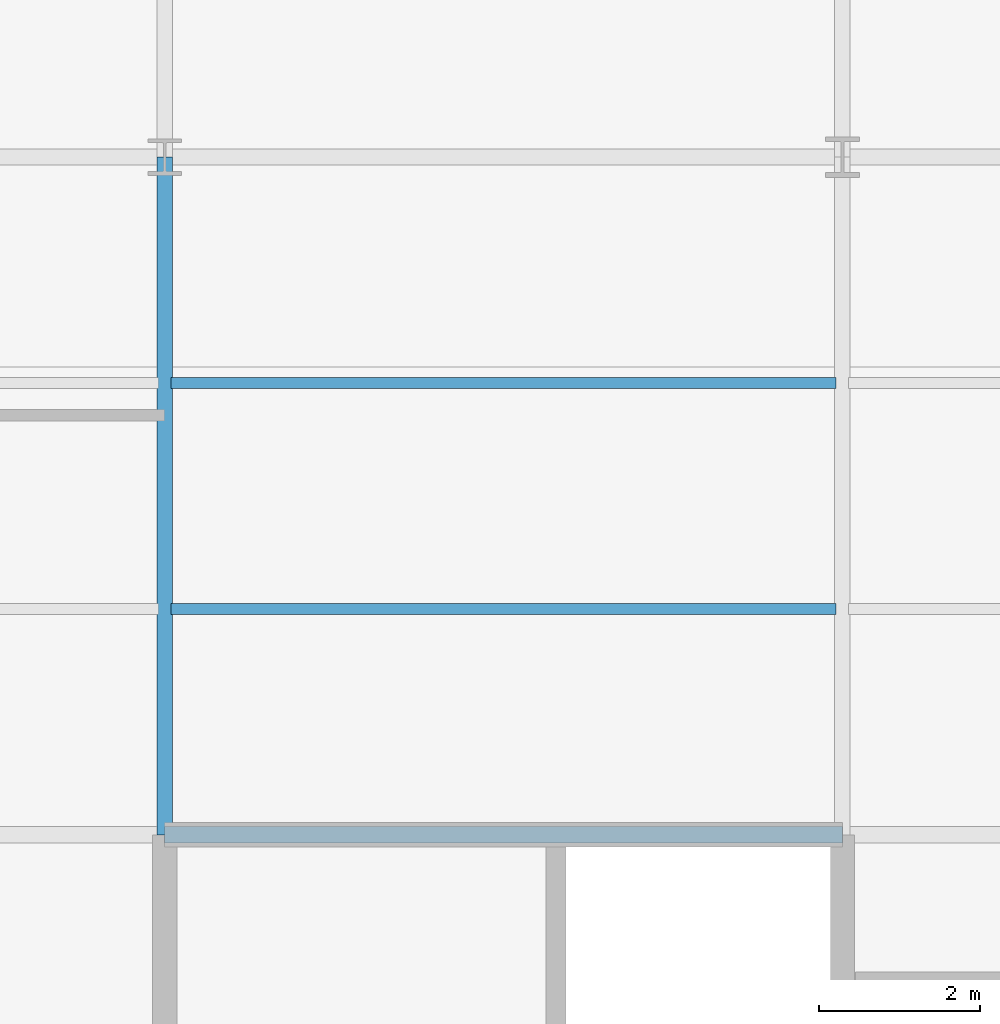
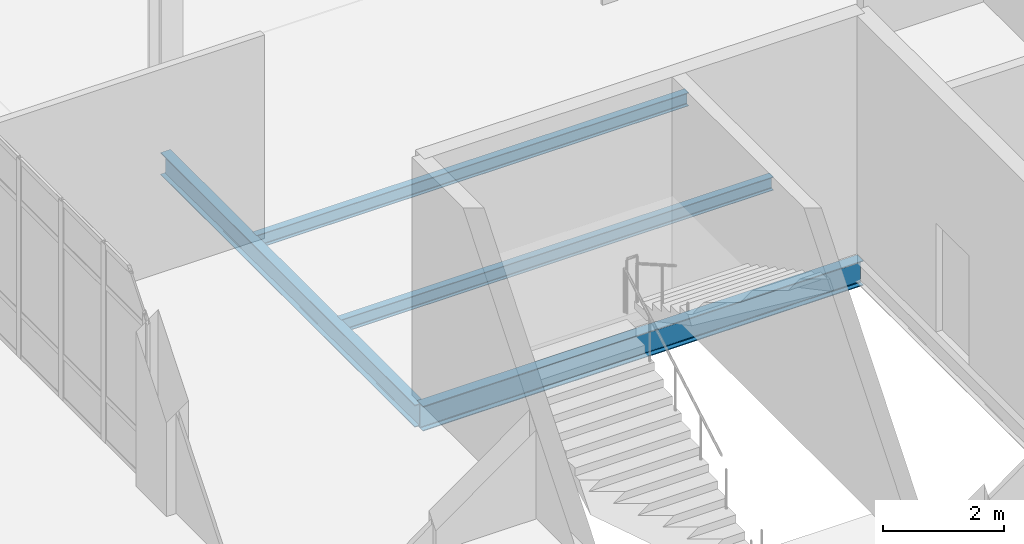
# One storey, part 26 of 145: 4 beams.
"""IFC4 building model written with IfcOpenShell, lengths in metres."""

from ifc_helpers import new_model, si_unit, direction, frame, origin, origin_2d, place, context, subcontext, project, spatial, i_section, extrude, material, material_profile, profile_set, type_object, element, save


model = new_model("IFC4")

# Units and contexts
model_context = context("Model", 3, precision=1e-05, world=origin(), true_north=direction((0.0, 1.0)))
body_context = subcontext(model_context, "Body", "Model", "MODEL_VIEW")
ifc_project = project(units=[si_unit("LENGTHUNIT", "METRE"), si_unit("AREAUNIT", "SQUARE_METRE"), si_unit("VOLUMEUNIT", "CUBIC_METRE"), si_unit("PLANEANGLEUNIT", "RADIAN"), si_unit("MASSUNIT", "GRAM", prefix="KILO")], contexts=[model_context])

# Site, building, storey
site_placement = place(None, origin())
site = spatial("IfcSite", under=ifc_project, at=site_placement, CompositionType="ELEMENT")
building_placement = place(site_placement, origin())
building = spatial("IfcBuilding", under=site, at=building_placement, Name="Qalvenar Corner Mobility Hub", CompositionType="ELEMENT")
storey_placement = place(building_placement, origin())
storey = spatial("IfcBuildingStorey", under=building, at=storey_placement, Name="L00", CompositionType="ELEMENT", Elevation=0.0)

# Beams
ifc_material = material(Name="Steel S355", Category="steel")
ifc_material_profile_1 = material_profile(ifc_material, i_section(OverallWidth=0.18994140625, OverallDepth=0.449951171875, WebThickness=0.009521484375, FlangeThickness=0.0146484375, FilletRadius=0.02099609375, at=origin_2d()), Name="IPE450")
ifc_profile_set_1 = profile_set([ifc_material_profile_1], Name="Steel S355")
beam_type_1 = type_object("IfcBeamType", Name="BM-IPE450", PredefinedType="BEAM", material=ifc_profile_set_1)
beam_1_placement = place(storey_placement, frame((8.39990234375, 16.800048828125, -0.445068359375), z_axis=(0.0, 1.0, 0.0), x_axis=(-1.0, 0.0, 0.0)))
element("IfcBeam", 1, at=beam_1_placement, inside=storey, type_object=beam_type_1, Name="Primary Steel Girder GY-0044", PredefinedType="BEAM", context=body_context, shape_type="SweptSolid", body=[
    extrude(i_section(OverallWidth=0.18994140625, OverallDepth=0.449951171875, WebThickness=0.009521484375, FlangeThickness=0.0146484375, FilletRadius=0.02099609375, at=origin_2d()), origin(), (0.0, 0.0, 1.0), 8.39990234375),
])
ifc_material_profile_2 = material_profile(ifc_material, i_section(OverallWidth=0.199951171875, OverallDepth=0.5, WebThickness=0.01025390625, FlangeThickness=0.01611328125, FilletRadius=0.02099609375, at=origin_2d()), Name="IPE500")
ifc_profile_set_2 = profile_set([ifc_material_profile_2], Name="Steel S355")
beam_type_2 = type_object("IfcBeamType", Name="BM-IPE500", PredefinedType="BEAM", material=ifc_profile_set_2)
beam_2_placement = place(storey_placement, frame((8.39990234375, 16.800048828125, -0.469970703125), z_axis=(1.0, 0.0, 0.0), x_axis=(0.0, 1.0, 0.0)))
element("IfcBeam", 2, at=beam_2_placement, inside=storey, type_object=beam_type_2, Name="Primary Steel Girder GX-0014", PredefinedType="BEAM", context=body_context, shape_type="SweptSolid", body=[
    extrude(i_section(OverallWidth=0.199951171875, OverallDepth=0.5, WebThickness=0.01025390625, FlangeThickness=0.01611328125, FilletRadius=0.02099609375, at=origin_2d()), origin(), (0.0, 0.0, 1.0), 8.400146484375),
])
ifc_material_profile_3 = material_profile(ifc_material, i_section(OverallWidth=0.135009765625, OverallDepth=0.27001953125, WebThickness=0.006591796875, FlangeThickness=0.01025390625, FilletRadius=0.014892578125, at=origin_2d()), Name="IPE270")
ifc_profile_set_3 = profile_set([ifc_material_profile_3], Name="Steel S355")
beam_type_3 = type_object("IfcBeamType", Name="BM-JST270", PredefinedType="JOIST", material=ifc_profile_set_3)
for number, where, z_axis, x_axis, name in (
    (3, (8.47802734375, 19.60009765625, -0.35498046875), (1.0, 0.0, 0.0), (0.0, 1.0, 0.0), "Composite Floor Joist J-0085"),
    (4, (8.47802734375, 22.39990234375, -0.35498046875), (1.0, 0.0, 0.0), (0.0, 1.0, 0.0), "Composite Floor Joist J-0086"),
):
    element("IfcBeam", number, at=place(storey_placement, frame(where, z_axis=z_axis, x_axis=x_axis)), inside=storey, type_object=beam_type_3, Name=name, PredefinedType="JOIST", context=body_context, shape_type="SweptSolid", body=[
        extrude(i_section(OverallWidth=0.135009765625, OverallDepth=0.27001953125, WebThickness=0.006591796875, FlangeThickness=0.01025390625, FilletRadius=0.014892578125, at=origin_2d()), origin(), (0.0, 0.0, 1.0), 8.243896484375),
    ])

save(model, "model.ifc")
